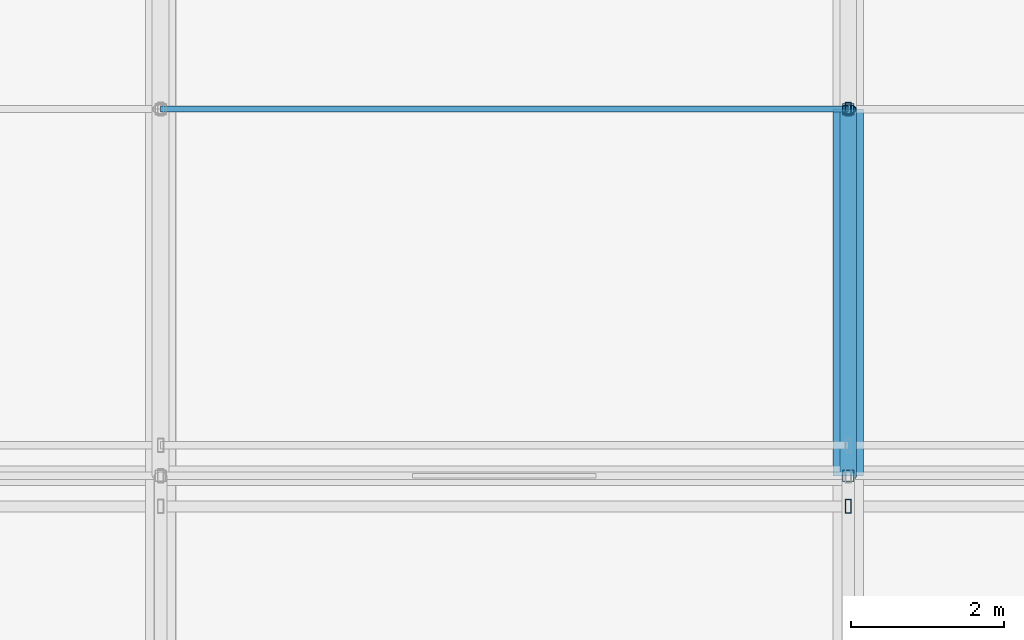
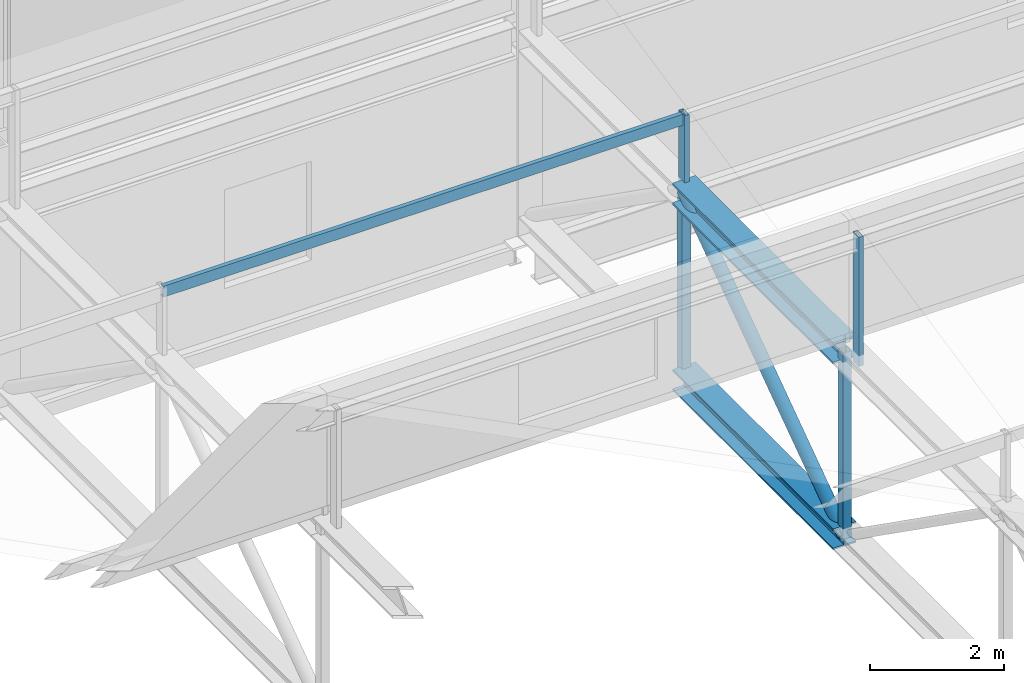
# One storey, part 56 of 136: 6 members, 2 beams.
"""IFC4 building model written with IfcOpenShell, lengths in metres."""

from ifc_helpers import new_model, si_unit, direction, frame, origin, origin_2d, place, context, subcontext, project, spatial, hollow_rectangle, hollow_circle, i_section, u_section, extrude, material, material_profile, profile_set, type_object, element, save


model = new_model("IFC4")

# Units and contexts
model_context = context("Model", 3, precision=1e-05, world=origin(), true_north=direction((0.0, 1.0)))
body_context = subcontext(model_context, "Body", "Model", "MODEL_VIEW")
ifc_project = project(units=[si_unit("LENGTHUNIT", "METRE"), si_unit("AREAUNIT", "SQUARE_METRE"), si_unit("VOLUMEUNIT", "CUBIC_METRE"), si_unit("PLANEANGLEUNIT", "RADIAN"), si_unit("MASSUNIT", "GRAM", prefix="KILO")], contexts=[model_context])

# Site, building, storey
site_placement = place(None, origin())
site = spatial("IfcSite", under=ifc_project, at=site_placement, CompositionType="ELEMENT")
building_placement = place(site_placement, origin())
building = spatial("IfcBuilding", under=site, at=building_placement, Name="Kisiwana Market Hall", CompositionType="ELEMENT")
storey_placement = place(building_placement, frame((0.0, 0.0, 16.800048828125)))
storey = spatial("IfcBuildingStorey", under=building, at=storey_placement, Name="L03", CompositionType="ELEMENT", Elevation=16.800048828125)

# Beams
ifc_material_1 = material(Name="Steel S355", Category="steel")
ifc_material_profile_1 = material_profile(ifc_material_1, i_section(OverallWidth=0.394775390625, OverallDepth=0.381103515625, WebThickness=0.018310546875, FlangeThickness=0.0302734375, at=origin_2d()), Name="UC 356x406x235")
ifc_profile_set_1 = profile_set([ifc_material_profile_1], Name="Steel S355")
beam_type_1 = type_object("IfcBeamType", Name="BM-TRUSS-BOT", PredefinedType="USERDEFINED", material=ifc_profile_set_1)
beam_1_placement = place(storey_placement, frame((117.0, 74.39990234375, 0.22998046875), z_axis=(0.0, 1.0, 0.0), x_axis=(-1.0, 0.0, 0.0)))
element("IfcBeam", 1, at=beam_1_placement, inside=storey, type_object=beam_type_1, Name="TR-06 BC panel 9 B-1286", ObjectType="ROOF TRUSS", PredefinedType="USERDEFINED", context=body_context, shape_type="SweptSolid", body=[
    extrude(i_section(OverallWidth=0.394775390625, OverallDepth=0.381103515625, WebThickness=0.018310546875, FlangeThickness=0.0302734375, at=origin_2d()), origin(), (0.0, 0.0, 1.0), 4.800048828125),
])
ifc_material_2 = material(Name="Steel S355", Category="steel")
ifc_material_profile_2 = material_profile(ifc_material_2, i_section(OverallWidth=0.39892578125, OverallDepth=0.3935546875, WebThickness=0.022705078125, FlangeThickness=0.03662109375, at=origin_2d()), Name="UC 356x406x287")
ifc_profile_set_2 = profile_set([ifc_material_profile_2], Name="Steel S355")
beam_type_2 = type_object("IfcBeamType", Name="BM-TRUSS-TOP", PredefinedType="USERDEFINED", material=ifc_profile_set_2)
beam_2_placement = place(storey_placement, frame((117.0, 74.39990234375, 3.619873046875), z_axis=(0.0, 1.0, 0.0), x_axis=(-1.0, 0.0, 0.0)))
element("IfcBeam", 2, at=beam_2_placement, inside=storey, type_object=beam_type_2, Name="TR-06 TC panel 9 B-1296", ObjectType="ROOF TRUSS", PredefinedType="USERDEFINED", context=body_context, shape_type="SweptSolid", body=[
    extrude(i_section(OverallWidth=0.39892578125, OverallDepth=0.3935546875, WebThickness=0.022705078125, FlangeThickness=0.03662109375, at=origin_2d()), origin(), (0.0, 0.0, 1.0), 4.800048828125),
])

# Members
ifc_material_3 = material(Name="Steel S355", Category="steel")
ifc_material_profile_3 = material_profile(ifc_material_3, hollow_rectangle(XDim=0.080078125, YDim=0.179931640625, WallThickness=0.00634765625, at=origin_2d()), Name="RHS 180x80x6.3")
ifc_profile_set_3 = profile_set([ifc_material_profile_3], Name="Steel S355")
member_type_1 = type_object("IfcMemberType", Name="MB-CAN-STRUT", PredefinedType="STRUT", material=ifc_profile_set_3)
member_1_placement = place(storey_placement, frame((117.0, 74.0, 3.619873046875), z_axis=(0.0, 0.0, 1.0), x_axis=(1.0, 0.0, 0.0)))
element("IfcMember", 3, at=member_1_placement, inside=storey, type_object=member_type_1, Name="Sawtooth raker post 304 M-0312", PredefinedType="STRUT", context=body_context, shape_type="SweptSolid", body=[
    extrude(hollow_rectangle(XDim=0.080078125, YDim=0.179931640625, WallThickness=0.00634765625, at=origin_2d()), origin(), (0.0, 0.0, 1.0), 2.355712890625),
])
member_2_placement = place(storey_placement, frame((117.0, 79.199951171875, 3.619873046875), z_axis=(0.0, 0.0, 1.0), x_axis=(1.0, 0.0, 0.0)))
element("IfcMember", 4, at=member_2_placement, inside=storey, type_object=member_type_1, Name="Sawtooth mid-slope raker post 64 M-0088", PredefinedType="STRUT", context=body_context, shape_type="SweptSolid", body=[
    extrude(hollow_rectangle(XDim=0.080078125, YDim=0.179931640625, WallThickness=0.00634765625, at=origin_2d()), origin(), (0.0, 0.0, 1.0), 1.42041015625),
])
ifc_material_4 = material(Name="Steel S355", Category="steel")
ifc_material_profile_4 = material_profile(ifc_material_4, u_section(Depth=0.199951171875, FlangeWidth=0.074951171875, WebThickness=0.006103515625, FlangeThickness=0.012451171875, at=origin_2d()), Name="PFC 200x75x23")
ifc_profile_set_4 = profile_set([ifc_material_profile_4], Name="Steel S355")
member_type_2 = type_object("IfcMemberType", Name="MB-PURL-PFC200", PredefinedType="PURLIN", material=ifc_profile_set_4)
member_3_placement = place(storey_placement, frame((108.0, 79.199951171875, 4.936279296875), z_axis=(1.0, 0.0, 0.0), x_axis=(0.0, 1.0, 0.0)))
element("IfcMember", 5, at=member_3_placement, inside=storey, type_object=member_type_2, Name="Sawtooth mid-slope roof purlin 71 M-0123", PredefinedType="PURLIN", context=body_context, shape_type="SweptSolid", body=[
    extrude(u_section(Depth=0.199951171875, FlangeWidth=0.074951171875, WebThickness=0.006103515625, FlangeThickness=0.012451171875, at=origin_2d()), origin(), (0.0, 0.0, 1.0), 9.0),
])
ifc_material_5 = material(Name="Steel S355", Category="steel")
ifc_material_profile_5 = material_profile(ifc_material_5, hollow_circle(Radius=0.109619140625, WallThickness=0.012451171875, at=origin_2d()), Name="CHS 219.1x12.5")
ifc_profile_set_5 = profile_set([ifc_material_profile_5], Name="Steel S355")
member_type_3 = type_object("IfcMemberType", Name="MB-TR-DIAG219", PredefinedType="BRACE", material=ifc_profile_set_5)
member_4_placement = place(storey_placement, frame((117.0, 74.39990234375, 0.22998046875), z_axis=(0.0, 0.816837735077, 0.576867501732), x_axis=(-1.0, 0.0, 0.0)))
element("IfcMember", 6, at=member_4_placement, inside=storey, type_object=member_type_3, Name="TR-06 diagonal 9 M-0439", PredefinedType="BRACE", context=body_context, shape_type="SweptSolid", body=[
    extrude(hollow_circle(Radius=0.109619140625, WallThickness=0.012451171875, at=origin_2d()), origin(), (0.0, 0.0, 1.0), 5.87646484375),
])
ifc_material_6 = material(Name="Steel S355", Category="steel")
ifc_material_profile_6 = material_profile(ifc_material_6, hollow_rectangle(XDim=0.14990234375, YDim=0.14990234375, WallThickness=0.008056640625, at=origin_2d()), Name="SHS 150x150x8.0")
ifc_profile_set_6 = profile_set([ifc_material_profile_6], Name="Steel S355")
member_type_4 = type_object("IfcMemberType", Name="MB-TR-STRUT200", PredefinedType="STRUT", material=ifc_profile_set_6)
for number, where, z_axis, x_axis, name in (
    (7, (117.0, 74.39990234375, 0.22998046875), (0.0, 0.0, 1.0), (1.0, 0.0, 0.0), "TR-06 vertical strut 9 M-0448"),
    (8, (117.0, 79.199951171875, 0.22998046875), (0.0, 0.0, 1.0), (1.0, 0.0, 0.0), "TR-06 vertical strut 10 M-0440"),
):
    element("IfcMember", number, at=place(storey_placement, frame(where, z_axis=z_axis, x_axis=x_axis)), inside=storey, type_object=member_type_4, Name=name, PredefinedType="STRUT", context=body_context, shape_type="SweptSolid", body=[
        extrude(hollow_rectangle(XDim=0.14990234375, YDim=0.14990234375, WallThickness=0.008056640625, at=origin_2d()), origin(), (0.0, 0.0, 1.0), 3.389892578125),
    ])

save(model, "model.ifc")
